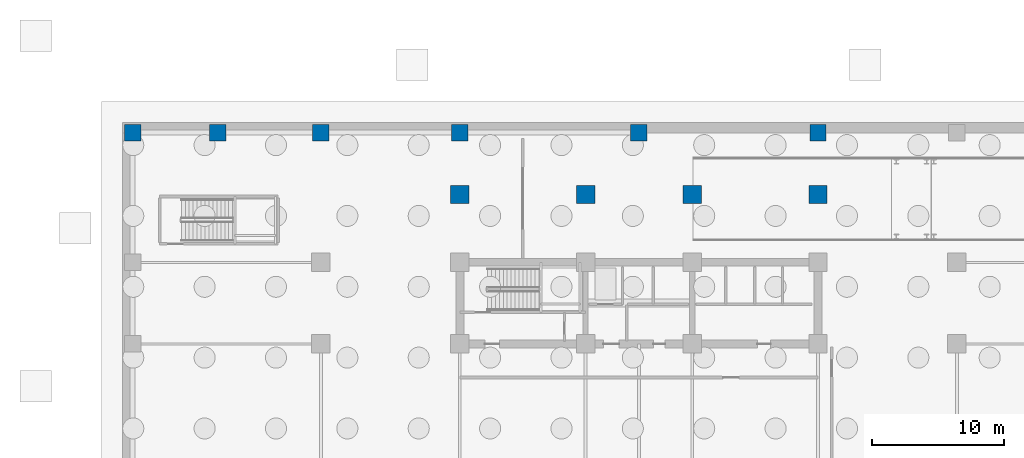
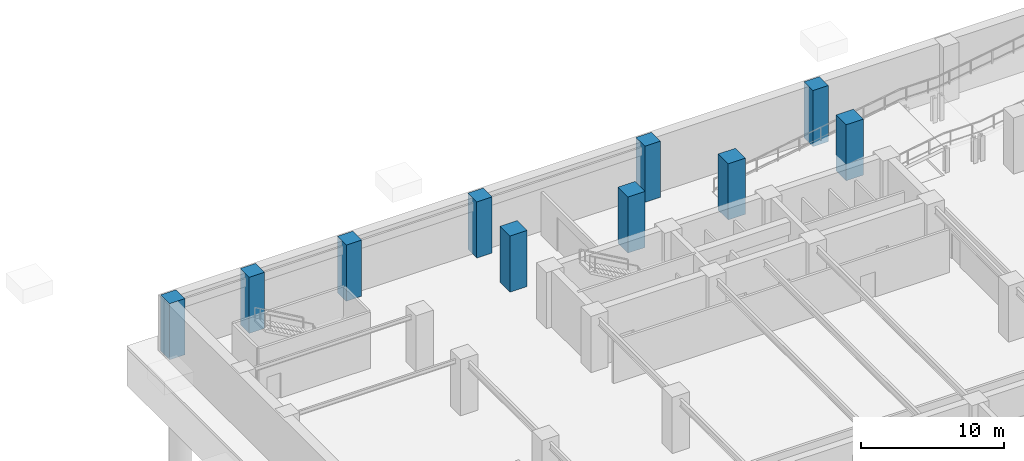
# One storey, part 4 of 13: 10 columns.
"""IFC4 building model written with IfcOpenShell, lengths in metres."""

from ifc_helpers import new_model, si_unit, direction, frame, origin, origin_2d, place, context, subcontext, project, spatial, rectangle, extrude, material, material_profile, profile_set, type_object, element, save


model = new_model("IFC4")

# Units and contexts
model_context = context("Model", 3, precision=1e-05, world=origin(), true_north=direction((0.0, 1.0)))
body_context = subcontext(model_context, "Body", "Model", "MODEL_VIEW")
ifc_project = project(units=[si_unit("LENGTHUNIT", "METRE"), si_unit("AREAUNIT", "SQUARE_METRE"), si_unit("VOLUMEUNIT", "CUBIC_METRE"), si_unit("PLANEANGLEUNIT", "RADIAN"), si_unit("MASSUNIT", "GRAM", prefix="KILO")], contexts=[model_context])

# Site, building, storey
site_placement = place(None, origin())
site = spatial("IfcSite", under=ifc_project, at=site_placement, CompositionType="ELEMENT")
building_placement = place(site_placement, origin())
building = spatial("IfcBuilding", under=site, at=building_placement, Name="Svetorya Sky Lyceum", CompositionType="ELEMENT")
storey_placement = place(building_placement, frame((0.0, 0.0, -4.800048828125)))
storey = spatial("IfcBuildingStorey", under=building, at=storey_placement, Name="B01", CompositionType="ELEMENT", Elevation=-4.800048828125)

# Columns
ifc_material = material(Name="Concrete C60/75", Category="concrete")
ifc_material_profile_1 = material_profile(ifc_material, rectangle(XDim=1.25, YDim=1.25, at=origin_2d()), Name="RC COL 1250x1250")
ifc_profile_set_1 = profile_set([ifc_material_profile_1], Name="Concrete C60/75")
column_type_1 = type_object("IfcColumnType", Name="COL-RC-1250", PredefinedType="COLUMN", material=ifc_profile_set_1)
for number, where, z_axis, x_axis, name in (
    (1, (0.75, 55.64990234375, 0.0), (0.0, 0.0, 1.0), (1.0, 0.0, 0.0), "B01 Podium Column PC-0107"),
    (2, (7.199951171875, 55.64990234375, 0.0), (0.0, 0.0, 1.0), (1.0, 0.0, 0.0), "B01 Podium Column PC-0207"),
    (3, (15.050048828125, 55.64990234375, 0.0), (0.0, 0.0, 1.0), (1.0, 0.0, 0.0), "B01 Podium Column PC-0307"),
    (4, (25.60009765625, 55.64990234375, 0.0), (0.0, 0.0, 1.0), (1.0, 0.0, 0.0), "B01 Podium Column PC-0407"),
    (5, (39.199951171875, 55.64990234375, 0.0), (0.0, 0.0, 1.0), (1.0, 0.0, 0.0), "B01 Podium Column PC-0507"),
    (6, (52.800048828125, 55.64990234375, 0.0), (0.0, 0.0, 1.0), (1.0, 0.0, 0.0), "B01 Podium Column PC-0607"),
):
    element("IfcColumn", number, at=place(storey_placement, frame(where, z_axis=z_axis, x_axis=x_axis)), inside=storey, type_object=column_type_1, Name=name, PredefinedType="COLUMN", context=body_context, shape_type="SweptSolid", body=[
        extrude(rectangle(XDim=1.25, YDim=1.25, at=origin_2d()), origin(), (0.0, 0.0, 1.0), 4.800048828125),
    ])
ifc_material_profile_2 = material_profile(ifc_material, rectangle(XDim=1.39990234375, YDim=1.39990234375, at=origin_2d()), Name="RC COL 1400x1400")
ifc_profile_set_2 = profile_set([ifc_material_profile_2], Name="Concrete C60/75")
column_type_2 = type_object("IfcColumnType", Name="COL-RC-1400", PredefinedType="COLUMN", material=ifc_profile_set_2)
for number, where, z_axis, x_axis, name in (
    (7, (25.60009765625, 50.949951171875, 0.0), (0.0, 0.0, 1.0), (1.0, 0.0, 0.0), "B01 Podium Tower-Line Column N1"),
    (8, (35.14990234375, 50.949951171875, 0.0), (0.0, 0.0, 1.0), (1.0, 0.0, 0.0), "B01 Podium Tower-Line Column N2"),
    (9, (43.25, 50.949951171875, 0.0), (0.0, 0.0, 1.0), (1.0, 0.0, 0.0), "B01 Podium Tower-Line Column N3"),
    (10, (52.800048828125, 50.949951171875, 0.0), (0.0, 0.0, 1.0), (1.0, 0.0, 0.0), "B01 Podium Tower-Line Column N4"),
):
    element("IfcColumn", number, at=place(storey_placement, frame(where, z_axis=z_axis, x_axis=x_axis)), inside=storey, type_object=column_type_2, Name=name, PredefinedType="COLUMN", context=body_context, shape_type="SweptSolid", body=[
        extrude(rectangle(XDim=1.39990234375, YDim=1.39990234375, at=origin_2d()), origin(), (0.0, 0.0, 1.0), 4.800048828125),
    ])

save(model, "model.ifc")
